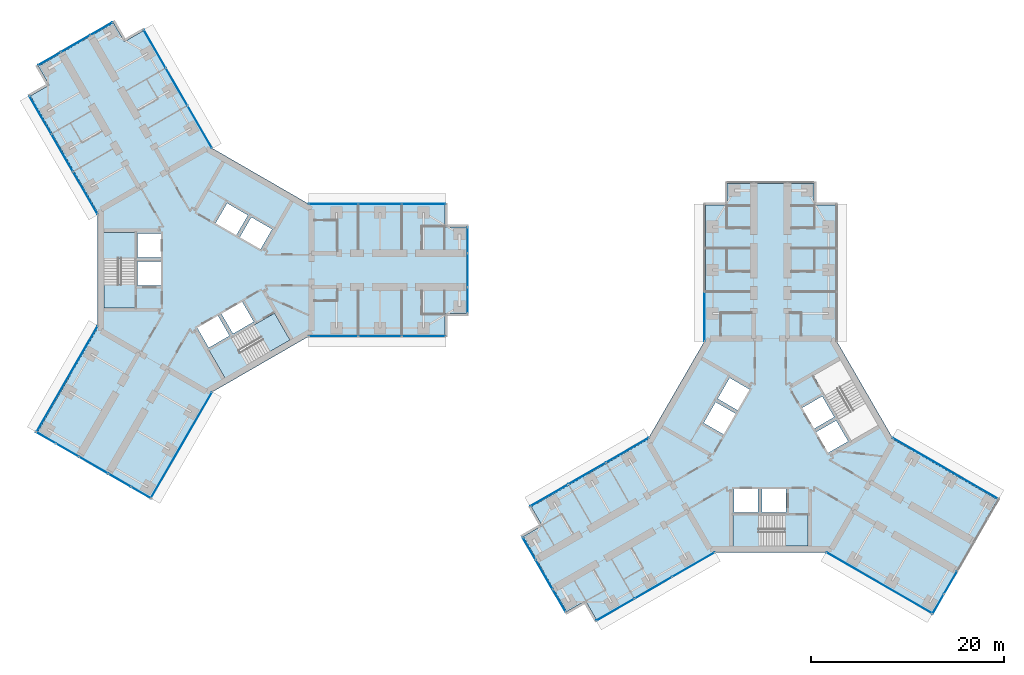
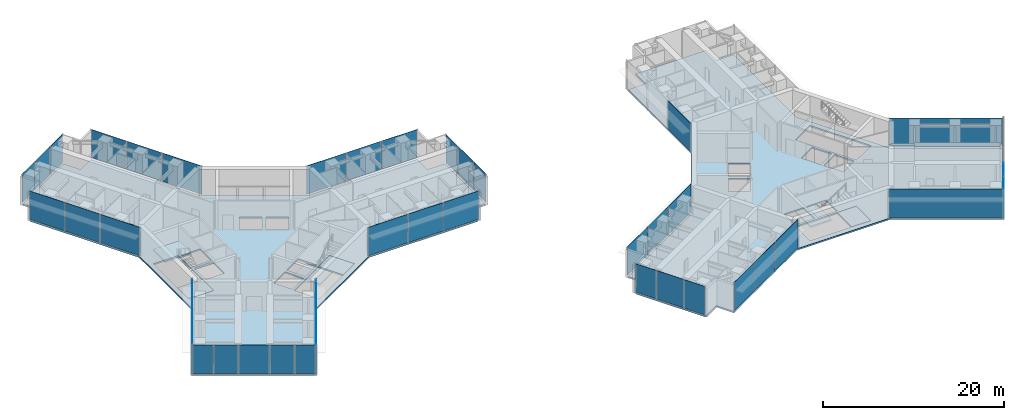
# One storey, part 13 of 23: 39 plates, 8 slabs, 19 elements without a shape of their own.
"""IFC4 building model written with IfcOpenShell, lengths in metres."""

from ifc_helpers import new_model, si_unit, direction, frame, origin, origin_2d, place, context, subcontext, project, spatial, polyline, rectangle, outline, extrude, material, layer, layer_set, type_object, element, aggregate, save


model = new_model("IFC4")

# Units and contexts
model_context = context("Model", 3, precision=1e-05, world=origin(), true_north=direction((0.0, 1.0)))
body_context = subcontext(model_context, "Body", "Model", "MODEL_VIEW")
ifc_project = project(units=[si_unit("LENGTHUNIT", "METRE"), si_unit("AREAUNIT", "SQUARE_METRE"), si_unit("VOLUMEUNIT", "CUBIC_METRE"), si_unit("PLANEANGLEUNIT", "RADIAN"), si_unit("MASSUNIT", "GRAM", prefix="KILO")], contexts=[model_context])

# Site, building, storey
site_placement = place(None, origin())
site = spatial("IfcSite", under=ifc_project, at=site_placement, CompositionType="ELEMENT")
building_placement = place(site_placement, origin())
building = spatial("IfcBuilding", under=site, at=building_placement, Name="Upepo Twin Towers", CompositionType="ELEMENT")
storey_placement = place(building_placement, frame((0.0, 0.0, 149.5)))
storey = spatial("IfcBuildingStorey", under=building, at=storey_placement, Name="L36", CompositionType="ELEMENT", Elevation=149.5)

# Curtain wall, plates
ifc_material_1 = material(Name="Aluminium and fritted glass", Category="aluminium")
curtain_wall_type = type_object("IfcCurtainWallType", Name="Tower curtain wall TW2, fritted glass", PredefinedType="NOTDEFINED", material=ifc_material_1)
curtain_wall_1_placement = place(storey_placement, origin())
curtain_wall_1 = element("IfcCurtainWall", 1, at=curtain_wall_1_placement, inside=storey, type_object=curtain_wall_type, Name="T1 L36 wing A flank L curtain wall", PredefinedType="NOTDEFINED")
ifc_material_2 = material(Name="Ceramic-fritted laminated glass", Category="glass")
ifc_layer_1 = layer(ifc_material_2, 0.031982421875)
ifc_layer_set_1 = layer_set([ifc_layer_1], Name="Fritted glass panel, 45 per cent dot frit, 32 mm double glazed")
plate_type_1 = type_object("IfcPlateType", Name="Fritted glass panel, 45 per cent dot frit, 32 mm double glazed", PredefinedType="CURTAIN_PANEL", material=ifc_layer_set_1)
plate_1_placement = place(storey_placement, frame((13.184814453125, 6.85009765625, 0.14990234375), z_axis=(0.0, 0.0, 1.0), x_axis=(1.0, 0.0, 0.0)))
plate_1 = element("IfcPlate", 2, at=plate_1_placement, type_object=plate_type_1, Name="T1 L36 wing A flank L curtain wall panel 1", PredefinedType="CURTAIN_PANEL", context=body_context, shape_type="SweptSolid", body=[
    extrude(rectangle(XDim=5.0654296875, YDim=0.031982421875, at=origin_2d()), origin(), (0.0, 0.0, 1.0), 3.85009765625),
])
plate_2_placement = place(storey_placement, frame((18.0, 6.85009765625, 0.14990234375), z_axis=(0.0, 0.0, 1.0), x_axis=(1.0, 0.0, 0.0)))
plate_2 = element("IfcPlate", 3, at=plate_2_placement, type_object=plate_type_1, Name="T1 L36 wing A flank L curtain wall panel 2", PredefinedType="CURTAIN_PANEL", context=body_context, shape_type="SweptSolid", body=[
    extrude(rectangle(XDim=4.43505859375, YDim=0.031982421875, at=origin_2d()), origin(), (0.0, 0.0, 1.0), 3.85009765625),
])
plate_3_placement = place(storey_placement, frame((22.53369140625, 6.85009765625, 0.14990234375), z_axis=(0.0, 0.0, 1.0), x_axis=(1.0, 0.0, 0.0)))
plate_3 = element("IfcPlate", 4, at=plate_3_placement, type_object=plate_type_1, Name="T1 L36 wing A flank L curtain wall panel 3", PredefinedType="CURTAIN_PANEL", context=body_context, shape_type="SweptSolid", body=[
    extrude(rectangle(XDim=4.50244140625, YDim=0.031982421875, at=origin_2d()), origin(), (0.0, 0.0, 1.0), 3.85009765625),
])
aggregate(curtain_wall_1, [plate_1, plate_2, plate_3])

curtain_wall_2_placement = place(storey_placement, origin())
curtain_wall_2 = element("IfcCurtainWall", 5, at=curtain_wall_2_placement, inside=storey, type_object=curtain_wall_type, Name="T1 L36 wing A flank R curtain wall", PredefinedType="NOTDEFINED")
plate_4_placement = place(storey_placement, frame((22.53369140625, -6.85009765625, 0.14990234375), z_axis=(0.0, 0.0, 1.0), x_axis=(-1.0, 0.0, 0.0)))
plate_4 = element("IfcPlate", 6, at=plate_4_placement, type_object=plate_type_1, Name="T1 L36 wing A flank R curtain wall panel 1", PredefinedType="CURTAIN_PANEL", context=body_context, shape_type="SweptSolid", body=[
    extrude(rectangle(XDim=4.50244140625, YDim=0.031982421875, at=origin_2d()), origin(), (0.0, 0.0, 1.0), 3.85009765625),
])
plate_5_placement = place(storey_placement, frame((18.0, -6.85009765625, 0.14990234375), z_axis=(0.0, 0.0, 1.0), x_axis=(-1.0, 0.0, 0.0)))
plate_5 = element("IfcPlate", 7, at=plate_5_placement, type_object=plate_type_1, Name="T1 L36 wing A flank R curtain wall panel 2", PredefinedType="CURTAIN_PANEL", context=body_context, shape_type="SweptSolid", body=[
    extrude(rectangle(XDim=4.43505859375, YDim=0.031982421875, at=origin_2d()), origin(), (0.0, 0.0, 1.0), 3.85009765625),
])
plate_6_placement = place(storey_placement, frame((13.184814453125, -6.85009765625, 0.14990234375), z_axis=(0.0, 0.0, 1.0), x_axis=(-1.0, 0.0, 0.0)))
plate_6 = element("IfcPlate", 8, at=plate_6_placement, type_object=plate_type_1, Name="T1 L36 wing A flank R curtain wall panel 3", PredefinedType="CURTAIN_PANEL", context=body_context, shape_type="SweptSolid", body=[
    extrude(rectangle(XDim=5.0654296875, YDim=0.031982421875, at=origin_2d()), origin(), (0.0, 0.0, 1.0), 3.85009765625),
])
aggregate(curtain_wall_2, [plate_4, plate_5, plate_6])

# Curtain wall, plate
curtain_wall_3_placement = place(storey_placement, origin())
curtain_wall_3 = element("IfcCurtainWall", 9, at=curtain_wall_3_placement, inside=storey, type_object=curtain_wall_type, Name="T1 L36 wing A nose curtain wall", PredefinedType="NOTDEFINED")
plate_7_placement = place(storey_placement, frame((27.10009765625, 0.0, 0.14990234375), z_axis=(0.0, 0.0, 1.0), x_axis=(0.0, 1.0, 0.0)))
plate_7 = element("IfcPlate", 10, at=plate_7_placement, type_object=plate_type_1, Name="T1 L36 wing A nose curtain wall panel 2", PredefinedType="CURTAIN_PANEL", context=body_context, shape_type="SweptSolid", body=[
    extrude(rectangle(XDim=3.43505859375, YDim=0.031982421875, at=origin_2d()), origin(), (0.0, 0.0, 1.0), 3.85009765625),
])

# Curtain wall, plates
curtain_wall_4_placement = place(storey_placement, origin())
curtain_wall_4 = element("IfcCurtainWall", 11, at=curtain_wall_4_placement, inside=storey, type_object=curtain_wall_type, Name="T1 L36 wing B flank L curtain wall", PredefinedType="NOTDEFINED")
plate_8_placement = place(storey_placement, frame((-12.524658203125, 7.993408203125, 0.14990234375), z_axis=(0.0, 0.0, 1.0), x_axis=(-0.500000010308, 0.866025397833, 0.0)))
plate_8 = element("IfcPlate", 12, at=plate_8_placement, type_object=plate_type_1, Name="T1 L36 wing B flank L curtain wall panel 1", PredefinedType="CURTAIN_PANEL", context=body_context, shape_type="SweptSolid", body=[
    extrude(rectangle(XDim=5.0654296875, YDim=0.031982421875, at=origin_2d()), origin(), (0.0, 0.0, 1.0), 3.85009765625),
])
plate_9_placement = place(storey_placement, frame((-14.932373046875, 12.16357421875, 0.14990234375), z_axis=(0.0, 0.0, 1.0), x_axis=(-0.500000010308, 0.866025397833, 0.0)))
plate_9 = element("IfcPlate", 13, at=plate_9_placement, type_object=plate_type_1, Name="T1 L36 wing B flank L curtain wall panel 2", PredefinedType="CURTAIN_PANEL", context=body_context, shape_type="SweptSolid", body=[
    extrude(rectangle(XDim=4.43505859375, YDim=0.031982421875, at=origin_2d()), origin(), (0.0, 0.0, 1.0), 3.85009765625),
])
plate_10_placement = place(storey_placement, frame((-17.19921875, 16.08984375, 0.14990234375), z_axis=(0.0, 0.0, 1.0), x_axis=(-0.500000010308, 0.866025397833, 0.0)))
plate_10 = element("IfcPlate", 14, at=plate_10_placement, type_object=plate_type_1, Name="T1 L36 wing B flank L curtain wall panel 3", PredefinedType="CURTAIN_PANEL", context=body_context, shape_type="SweptSolid", body=[
    extrude(rectangle(XDim=4.50244140625, YDim=0.031982421875, at=origin_2d()), origin(), (0.0, 0.0, 1.0), 3.85009765625),
])
aggregate(curtain_wall_4, [plate_8, plate_9, plate_10])

curtain_wall_5_placement = place(storey_placement, origin())
curtain_wall_5 = element("IfcCurtainWall", 15, at=curtain_wall_5_placement, inside=storey, type_object=curtain_wall_type, Name="T1 L36 wing B flank R curtain wall", PredefinedType="NOTDEFINED")
plate_11_placement = place(storey_placement, frame((-5.334716796875, 22.939697265625, 0.14990234375), z_axis=(0.0, 0.0, 1.0), x_axis=(0.500000010308, -0.866025397833, 0.0)))
plate_11 = element("IfcPlate", 16, at=plate_11_placement, type_object=plate_type_1, Name="T1 L36 wing B flank R curtain wall panel 1", PredefinedType="CURTAIN_PANEL", context=body_context, shape_type="SweptSolid", body=[
    extrude(rectangle(XDim=4.50244140625, YDim=0.031982421875, at=origin_2d()), origin(), (0.0, 0.0, 1.0), 3.85009765625),
])
plate_12_placement = place(storey_placement, frame((-3.067626953125, 19.013427734375, 0.14990234375), z_axis=(0.0, 0.0, 1.0), x_axis=(0.500000010308, -0.866025397833, 0.0)))
plate_12 = element("IfcPlate", 17, at=plate_12_placement, type_object=plate_type_1, Name="T1 L36 wing B flank R curtain wall panel 2", PredefinedType="CURTAIN_PANEL", context=body_context, shape_type="SweptSolid", body=[
    extrude(rectangle(XDim=4.43505859375, YDim=0.031982421875, at=origin_2d()), origin(), (0.0, 0.0, 1.0), 3.85009765625),
])
plate_13_placement = place(storey_placement, frame((-0.66015625, 14.84326171875, 0.14990234375), z_axis=(0.0, 0.0, 1.0), x_axis=(0.500000010308, -0.866025397833, 0.0)))
plate_13 = element("IfcPlate", 18, at=plate_13_placement, type_object=plate_type_1, Name="T1 L36 wing B flank R curtain wall panel 3", PredefinedType="CURTAIN_PANEL", context=body_context, shape_type="SweptSolid", body=[
    extrude(rectangle(XDim=5.0654296875, YDim=0.031982421875, at=origin_2d()), origin(), (0.0, 0.0, 1.0), 3.85009765625),
])
aggregate(curtain_wall_5, [plate_11, plate_12, plate_13])

# Curtain wall, plate
curtain_wall_6_placement = place(storey_placement, origin())
curtain_wall_6 = element("IfcCurtainWall", 19, at=curtain_wall_6_placement, inside=storey, type_object=curtain_wall_type, Name="T1 L36 wing B nose curtain wall", PredefinedType="NOTDEFINED")
plate_14_placement = place(storey_placement, frame((-13.550048828125, 23.46923828125, 0.14990234375), z_axis=(0.0, 0.0, 1.0), x_axis=(-0.866025386174, -0.500000030502, 0.0)))
plate_14 = element("IfcPlate", 20, at=plate_14_placement, type_object=plate_type_1, Name="T1 L36 wing B nose curtain wall panel 2", PredefinedType="CURTAIN_PANEL", context=body_context, shape_type="SweptSolid", body=[
    extrude(rectangle(XDim=3.43505859375, YDim=0.031982421875, at=origin_2d()), origin(), (0.0, 0.0, 1.0), 3.85009765625),
])

curtain_wall_7_placement = place(storey_placement, origin())
curtain_wall_7 = element("IfcCurtainWall", 21, at=curtain_wall_7_placement, inside=storey, type_object=curtain_wall_type, Name="T1 L36 wing C flank L curtain wall", PredefinedType="NOTDEFINED")
plate_15_placement = place(storey_placement, frame((-2.552001953125, -18.1201171875, 0.14990234375), z_axis=(0.0, 0.0, 1.0), x_axis=(-0.50000000792, -0.866025399212, 0.0)))
plate_15 = element("IfcPlate", 22, at=plate_15_placement, type_object=plate_type_1, Name="T1 L36 wing C flank L curtain wall panel 1", PredefinedType="CURTAIN_PANEL", context=body_context, shape_type="SweptSolid", body=[
    extrude(rectangle(XDim=12.6328125, YDim=0.031982421875, at=origin_2d()), origin(), (0.0, 0.0, 1.0), 3.85009765625),
])
aggregate(curtain_wall_7, [plate_15])

curtain_wall_8_placement = place(storey_placement, origin())
curtain_wall_8 = element("IfcCurtainWall", 23, at=curtain_wall_8_placement, inside=storey, type_object=curtain_wall_type, Name="T1 L36 wing C flank R curtain wall", PredefinedType="NOTDEFINED")
plate_16_placement = place(storey_placement, frame((-14.41650390625, -11.270263671875, 0.14990234375), z_axis=(0.0, 0.0, 1.0), x_axis=(0.50000000792, 0.866025399212, 0.0)))
plate_16 = element("IfcPlate", 24, at=plate_16_placement, type_object=plate_type_1, Name="T1 L36 wing C flank R curtain wall panel 1", PredefinedType="CURTAIN_PANEL", context=body_context, shape_type="SweptSolid", body=[
    extrude(rectangle(XDim=12.6328125, YDim=0.031982421875, at=origin_2d()), origin(), (0.0, 0.0, 1.0), 3.85009765625),
])
aggregate(curtain_wall_8, [plate_16])

# Curtain wall, plates
curtain_wall_9_placement = place(storey_placement, origin())
curtain_wall_9 = element("IfcCurtainWall", 25, at=curtain_wall_9_placement, inside=storey, type_object=curtain_wall_type, Name="T1 L36 wing C nose curtain wall", PredefinedType="NOTDEFINED")
plate_17_placement = place(storey_placement, frame((-14.38134765625, -18.6591796875, 0.14990234375), z_axis=(0.0, 0.0, 1.0), x_axis=(0.866025419745, -0.499999972355, 0.0)))
plate_17 = element("IfcPlate", 26, at=plate_17_placement, type_object=plate_type_1, Name="T1 L36 wing C nose curtain wall panel 2", PredefinedType="CURTAIN_PANEL", context=body_context, shape_type="SweptSolid", body=[
    extrude(rectangle(XDim=2.68505859375, YDim=0.031982421875, at=origin_2d()), origin(), (0.0, 0.0, 1.0), 3.85009765625),
])
plate_18_placement = place(storey_placement, frame((-11.675048828125, -20.2216796875, 0.14990234375), z_axis=(0.0, 0.0, 1.0), x_axis=(0.866025419745, -0.499999972355, 0.0)))
plate_18 = element("IfcPlate", 27, at=plate_18_placement, type_object=plate_type_1, Name="T1 L36 wing C nose curtain wall panel 3", PredefinedType="CURTAIN_PANEL", context=body_context, shape_type="SweptSolid", body=[
    extrude(rectangle(XDim=3.43505859375, YDim=0.031982421875, at=origin_2d()), origin(), (0.0, 0.0, 1.0), 3.85009765625),
])
plate_19_placement = place(storey_placement, frame((-8.96875, -21.7841796875, 0.14990234375), z_axis=(0.0, 0.0, 1.0), x_axis=(0.866025419745, -0.499999972355, 0.0)))
plate_19 = element("IfcPlate", 28, at=plate_19_placement, type_object=plate_type_1, Name="T1 L36 wing C nose curtain wall panel 4", PredefinedType="CURTAIN_PANEL", context=body_context, shape_type="SweptSolid", body=[
    extrude(rectangle(XDim=2.68505859375, YDim=0.031982421875, at=origin_2d()), origin(), (0.0, 0.0, 1.0), 3.85009765625),
])

# Curtain wall, plate
curtain_wall_10_placement = place(storey_placement, origin())
curtain_wall_10 = element("IfcCurtainWall", 29, at=curtain_wall_10_placement, inside=storey, type_object=curtain_wall_type, Name="T2 L36 wing A flank L curtain wall", PredefinedType="NOTDEFINED")
plate_20_placement = place(storey_placement, frame((51.64990234375, -4.815185546875, 0.14990234375), z_axis=(0.0, 0.0, 1.0), x_axis=(0.0, 1.0, 0.0)))
plate_20 = element("IfcPlate", 30, at=plate_20_placement, type_object=plate_type_1, Name="T2 L36 wing A flank L curtain wall panel 1", PredefinedType="CURTAIN_PANEL", context=body_context, shape_type="SweptSolid", body=[
    extrude(rectangle(XDim=5.0654296875, YDim=0.031982421875, at=origin_2d()), origin(), (0.0, 0.0, 1.0), 3.85009765625),
])
aggregate(curtain_wall_10, [plate_20])

# Curtain wall, plates
curtain_wall_11_placement = place(storey_placement, origin())
curtain_wall_11 = element("IfcCurtainWall", 31, at=curtain_wall_11_placement, inside=storey, type_object=curtain_wall_type, Name="T2 L36 wing B flank L curtain wall", PredefinedType="NOTDEFINED")
plate_21_placement = place(storey_placement, frame((50.506591796875, -30.524658203125, 0.14990234375), z_axis=(0.0, 0.0, 1.0), x_axis=(-0.866025397833, -0.500000010308, 0.0)))
plate_21 = element("IfcPlate", 32, at=plate_21_placement, type_object=plate_type_1, Name="T2 L36 wing B flank L curtain wall panel 1", PredefinedType="CURTAIN_PANEL", context=body_context, shape_type="SweptSolid", body=[
    extrude(rectangle(XDim=5.0654296875, YDim=0.031982421875, at=origin_2d()), origin(), (0.0, 0.0, 1.0), 3.85009765625),
])
plate_22_placement = place(storey_placement, frame((46.33642578125, -32.932373046875, 0.14990234375), z_axis=(0.0, 0.0, 1.0), x_axis=(-0.866025397833, -0.500000010308, 0.0)))
plate_22 = element("IfcPlate", 33, at=plate_22_placement, type_object=plate_type_1, Name="T2 L36 wing B flank L curtain wall panel 2", PredefinedType="CURTAIN_PANEL", context=body_context, shape_type="SweptSolid", body=[
    extrude(rectangle(XDim=4.43505859375, YDim=0.031982421875, at=origin_2d()), origin(), (0.0, 0.0, 1.0), 3.85009765625),
])
plate_23_placement = place(storey_placement, frame((42.41015625, -35.19921875, 0.14990234375), z_axis=(0.0, 0.0, 1.0), x_axis=(-0.866025397833, -0.500000010308, 0.0)))
plate_23 = element("IfcPlate", 34, at=plate_23_placement, type_object=plate_type_1, Name="T2 L36 wing B flank L curtain wall panel 3", PredefinedType="CURTAIN_PANEL", context=body_context, shape_type="SweptSolid", body=[
    extrude(rectangle(XDim=4.50244140625, YDim=0.031982421875, at=origin_2d()), origin(), (0.0, 0.0, 1.0), 3.85009765625),
])
aggregate(curtain_wall_11, [plate_21, plate_22, plate_23])

curtain_wall_12_placement = place(storey_placement, origin())
curtain_wall_12 = element("IfcCurtainWall", 35, at=curtain_wall_12_placement, inside=storey, type_object=curtain_wall_type, Name="T2 L36 wing B flank R curtain wall", PredefinedType="NOTDEFINED")
plate_24_placement = place(storey_placement, frame((35.560302734375, -23.334716796875, 0.14990234375), z_axis=(0.0, 0.0, 1.0), x_axis=(0.866025397833, 0.500000010308, 0.0)))
plate_24 = element("IfcPlate", 36, at=plate_24_placement, type_object=plate_type_1, Name="T2 L36 wing B flank R curtain wall panel 1", PredefinedType="CURTAIN_PANEL", context=body_context, shape_type="SweptSolid", body=[
    extrude(rectangle(XDim=4.50244140625, YDim=0.031982421875, at=origin_2d()), origin(), (0.0, 0.0, 1.0), 3.85009765625),
])
plate_25_placement = place(storey_placement, frame((39.486572265625, -21.067626953125, 0.14990234375), z_axis=(0.0, 0.0, 1.0), x_axis=(0.866025397833, 0.500000010308, 0.0)))
plate_25 = element("IfcPlate", 37, at=plate_25_placement, type_object=plate_type_1, Name="T2 L36 wing B flank R curtain wall panel 2", PredefinedType="CURTAIN_PANEL", context=body_context, shape_type="SweptSolid", body=[
    extrude(rectangle(XDim=4.43505859375, YDim=0.031982421875, at=origin_2d()), origin(), (0.0, 0.0, 1.0), 3.85009765625),
])
plate_26_placement = place(storey_placement, frame((43.65673828125, -18.66015625, 0.14990234375), z_axis=(0.0, 0.0, 1.0), x_axis=(0.866025397833, 0.500000010308, 0.0)))
plate_26 = element("IfcPlate", 38, at=plate_26_placement, type_object=plate_type_1, Name="T2 L36 wing B flank R curtain wall panel 3", PredefinedType="CURTAIN_PANEL", context=body_context, shape_type="SweptSolid", body=[
    extrude(rectangle(XDim=5.0654296875, YDim=0.031982421875, at=origin_2d()), origin(), (0.0, 0.0, 1.0), 3.85009765625),
])
aggregate(curtain_wall_12, [plate_24, plate_25, plate_26])

# Curtain wall, plate
curtain_wall_13_placement = place(storey_placement, origin())
curtain_wall_13 = element("IfcCurtainWall", 39, at=curtain_wall_13_placement, inside=storey, type_object=curtain_wall_type, Name="T2 L36 wing B nose curtain wall", PredefinedType="NOTDEFINED")
plate_27_placement = place(storey_placement, frame((35.03076171875, -31.550048828125, 0.14990234375), z_axis=(0.0, 0.0, 1.0), x_axis=(0.500000030502, -0.866025386174, 0.0)))
plate_27 = element("IfcPlate", 40, at=plate_27_placement, type_object=plate_type_1, Name="T2 L36 wing B nose curtain wall panel 2", PredefinedType="CURTAIN_PANEL", context=body_context, shape_type="SweptSolid", body=[
    extrude(rectangle(XDim=3.43505859375, YDim=0.031982421875, at=origin_2d()), origin(), (0.0, 0.0, 1.0), 3.85009765625),
])

curtain_wall_14_placement = place(storey_placement, origin())
curtain_wall_14 = element("IfcCurtainWall", 41, at=curtain_wall_14_placement, inside=storey, type_object=curtain_wall_type, Name="T2 L36 wing C flank L curtain wall", PredefinedType="NOTDEFINED")
plate_28_placement = place(storey_placement, frame((76.6201171875, -20.552001953125, 0.14990234375), z_axis=(0.0, 0.0, 1.0), x_axis=(0.866025399212, -0.50000000792, 0.0)))
plate_28 = element("IfcPlate", 42, at=plate_28_placement, type_object=plate_type_1, Name="T2 L36 wing C flank L curtain wall panel 1", PredefinedType="CURTAIN_PANEL", context=body_context, shape_type="SweptSolid", body=[
    extrude(rectangle(XDim=12.6328125, YDim=0.031982421875, at=origin_2d()), origin(), (0.0, 0.0, 1.0), 3.85009765625),
])
aggregate(curtain_wall_14, [plate_28])

curtain_wall_15_placement = place(storey_placement, origin())
curtain_wall_15 = element("IfcCurtainWall", 43, at=curtain_wall_15_placement, inside=storey, type_object=curtain_wall_type, Name="T2 L36 wing C flank R curtain wall", PredefinedType="NOTDEFINED")
plate_29_placement = place(storey_placement, frame((69.770263671875, -32.41650390625, 0.14990234375), z_axis=(0.0, 0.0, 1.0), x_axis=(-0.866025399212, 0.50000000792, 0.0)))
plate_29 = element("IfcPlate", 44, at=plate_29_placement, type_object=plate_type_1, Name="T2 L36 wing C flank R curtain wall panel 1", PredefinedType="CURTAIN_PANEL", context=body_context, shape_type="SweptSolid", body=[
    extrude(rectangle(XDim=12.6328125, YDim=0.031982421875, at=origin_2d()), origin(), (0.0, 0.0, 1.0), 3.85009765625),
])
aggregate(curtain_wall_15, [plate_29])

curtain_wall_16_placement = place(storey_placement, origin())
curtain_wall_16 = element("IfcCurtainWall", 45, at=curtain_wall_16_placement, inside=storey, type_object=curtain_wall_type, Name="T2 L36 wing C nose curtain wall", PredefinedType="NOTDEFINED")
plate_30_placement = place(storey_placement, frame((77.1591796875, -32.38134765625, 0.14990234375), z_axis=(0.0, 0.0, 1.0), x_axis=(0.499999972355, 0.866025419745, 0.0)))
plate_30 = element("IfcPlate", 46, at=plate_30_placement, type_object=plate_type_1, Name="T2 L36 wing C nose curtain wall panel 2", PredefinedType="CURTAIN_PANEL", context=body_context, shape_type="SweptSolid", body=[
    extrude(rectangle(XDim=2.68505859375, YDim=0.031982421875, at=origin_2d()), origin(), (0.0, 0.0, 1.0), 3.85009765625),
])

# Plate
ifc_material_3 = material(Name="Clear laminated glass in opening sash", Category="glass")
ifc_layer_2 = layer(ifc_material_3, 0.031982421875)
ifc_layer_set_2 = layer_set([ifc_layer_2], Name="Operable glass panel, 32 mm double glazed")
plate_type_2 = type_object("IfcPlateType", Name="Operable glass panel, 32 mm double glazed", PredefinedType="CURTAIN_PANEL", material=ifc_layer_set_2)
plate_31_placement = place(storey_placement, frame((27.10009765625, -3.108642578125, 0.14990234375), z_axis=(0.0, 0.0, 1.0), x_axis=(0.0, 1.0, 0.0)))
plate_31 = element("IfcPlate", 47, at=plate_31_placement, type_object=plate_type_2, Name="T1 L36 wing A nose curtain wall panel 1", PredefinedType="CURTAIN_PANEL", context=body_context, shape_type="SweptSolid", body=[
    extrude(rectangle(XDim=2.652587890625, YDim=0.031982421875, at=origin_2d()), origin(), (0.0, 0.0, 1.0), 3.85009765625),
])

plate_32_placement = place(storey_placement, frame((27.10009765625, 3.108642578125, 0.14990234375), z_axis=(0.0, 0.0, 1.0), x_axis=(0.0, 1.0, 0.0)))
plate_32 = element("IfcPlate", 48, at=plate_32_placement, type_object=plate_type_2, Name="T1 L36 wing A nose curtain wall panel 3", PredefinedType="CURTAIN_PANEL", context=body_context, shape_type="SweptSolid", body=[
    extrude(rectangle(XDim=2.652587890625, YDim=0.031982421875, at=origin_2d()), origin(), (0.0, 0.0, 1.0), 3.85009765625),
])

aggregate(curtain_wall_3, [plate_31, plate_7, plate_32])

plate_33_placement = place(storey_placement, frame((-10.857666015625, 25.023681640625, 0.14990234375), z_axis=(0.0, 0.0, 1.0), x_axis=(-0.866025386174, -0.500000030502, 0.0)))
plate_33 = element("IfcPlate", 49, at=plate_33_placement, type_object=plate_type_2, Name="T1 L36 wing B nose curtain wall panel 1", PredefinedType="CURTAIN_PANEL", context=body_context, shape_type="SweptSolid", body=[
    extrude(rectangle(XDim=2.652587890625, YDim=0.031982421875, at=origin_2d()), origin(), (0.0, 0.0, 1.0), 3.85009765625),
])

plate_34_placement = place(storey_placement, frame((-16.2421875, 21.914794921875, 0.14990234375), z_axis=(0.0, 0.0, 1.0), x_axis=(-0.866025386174, -0.500000030502, 0.0)))
plate_34 = element("IfcPlate", 50, at=plate_34_placement, type_object=plate_type_2, Name="T1 L36 wing B nose curtain wall panel 3", PredefinedType="CURTAIN_PANEL", context=body_context, shape_type="SweptSolid", body=[
    extrude(rectangle(XDim=2.652587890625, YDim=0.031982421875, at=origin_2d()), origin(), (0.0, 0.0, 1.0), 3.85009765625),
])

aggregate(curtain_wall_6, [plate_33, plate_14, plate_34])

plate_35_placement = place(storey_placement, frame((-16.618896484375, -17.367431640625, 0.14990234375), z_axis=(0.0, 0.0, 1.0), x_axis=(0.866025419745, -0.499999972355, 0.0)))
plate_35 = element("IfcPlate", 51, at=plate_35_placement, type_object=plate_type_2, Name="T1 L36 wing C nose curtain wall panel 1", PredefinedType="CURTAIN_PANEL", context=body_context, shape_type="SweptSolid", body=[
    extrude(rectangle(XDim=2.3525390625, YDim=0.031982421875, at=origin_2d()), origin(), (0.0, 0.0, 1.0), 3.85009765625),
])

plate_36_placement = place(storey_placement, frame((-6.73095703125, -23.076171875, 0.14990234375), z_axis=(0.0, 0.0, 1.0), x_axis=(0.866025419745, -0.499999972355, 0.0)))
plate_36 = element("IfcPlate", 52, at=plate_36_placement, type_object=plate_type_2, Name="T1 L36 wing C nose curtain wall panel 5", PredefinedType="CURTAIN_PANEL", context=body_context, shape_type="SweptSolid", body=[
    extrude(rectangle(XDim=2.3525390625, YDim=0.031982421875, at=origin_2d()), origin(), (0.0, 0.0, 1.0), 3.85009765625),
])

aggregate(curtain_wall_9, [plate_35, plate_17, plate_18, plate_19, plate_36])

plate_37_placement = place(storey_placement, frame((33.476318359375, -28.857666015625, 0.14990234375), z_axis=(0.0, 0.0, 1.0), x_axis=(0.500000030502, -0.866025386174, 0.0)))
plate_37 = element("IfcPlate", 53, at=plate_37_placement, type_object=plate_type_2, Name="T2 L36 wing B nose curtain wall panel 1", PredefinedType="CURTAIN_PANEL", context=body_context, shape_type="SweptSolid", body=[
    extrude(rectangle(XDim=2.652587890625, YDim=0.031982421875, at=origin_2d()), origin(), (0.0, 0.0, 1.0), 3.85009765625),
])

plate_38_placement = place(storey_placement, frame((36.585205078125, -34.2421875, 0.14990234375), z_axis=(0.0, 0.0, 1.0), x_axis=(0.500000030502, -0.866025386174, 0.0)))
plate_38 = element("IfcPlate", 54, at=plate_38_placement, type_object=plate_type_2, Name="T2 L36 wing B nose curtain wall panel 3", PredefinedType="CURTAIN_PANEL", context=body_context, shape_type="SweptSolid", body=[
    extrude(rectangle(XDim=2.652587890625, YDim=0.031982421875, at=origin_2d()), origin(), (0.0, 0.0, 1.0), 3.85009765625),
])

aggregate(curtain_wall_13, [plate_37, plate_27, plate_38])

plate_39_placement = place(storey_placement, frame((75.867431640625, -34.618896484375, 0.14990234375), z_axis=(0.0, 0.0, 1.0), x_axis=(0.499999972355, 0.866025419745, 0.0)))
plate_39 = element("IfcPlate", 55, at=plate_39_placement, type_object=plate_type_2, Name="T2 L36 wing C nose curtain wall panel 1", PredefinedType="CURTAIN_PANEL", context=body_context, shape_type="SweptSolid", body=[
    extrude(rectangle(XDim=2.3525390625, YDim=0.031982421875, at=origin_2d()), origin(), (0.0, 0.0, 1.0), 3.85009765625),
])

aggregate(curtain_wall_16, [plate_39, plate_30])

# Stair, slabs
ifc_material_4 = material(Name="Concrete C40/50", Category="concrete")
stair_type = type_object("IfcStairType", Name="Core stair, two flights", PredefinedType="HALF_TURN_STAIR", material=ifc_material_4)
stair_1_placement = place(storey_placement, origin())
stair_1 = element("IfcStair", 56, at=stair_1_placement, inside=storey, type_object=stair_type, Name="T1 stair S1 L36", PredefinedType="HALF_TURN_STAIR")
ifc_material_5 = material(Name="Concrete C40/50", Category="concrete")
ifc_layer_3 = layer(ifc_material_5, 0.199951171875)
ifc_layer_set_3 = layer_set([ifc_layer_3], Name="Concrete C40/50")
slab_type_1 = type_object("IfcSlabType", Name="Stair landing 200 RC", PredefinedType="LANDING", material=ifc_layer_set_3)
slab_1_placement = place(storey_placement, frame((0.0, 0.0, -0.199951171875)))
slab_1 = element("IfcSlab", 57, at=slab_1_placement, type_object=slab_type_1, Name="Stair S1 landing 1", PredefinedType="LANDING", context=body_context, shape_type="SweptSolid", body=[
    extrude(outline(polyline([(-7.39990234375, -1.419921875), (-10.6083984375, -1.419921875), (-10.6083984375, -3.89990234375), (-7.39990234375, -3.89990234375), (-7.39990234375, -1.419921875)])), origin(), (0.0, 0.0, 1.0), 0.199951171875),
])
slab_2_placement = place(storey_placement, frame((0.0, 0.0, 1.800048828125)))
slab_2 = element("IfcSlab", 58, at=slab_2_placement, type_object=slab_type_1, Name="Stair S1 landing 2", PredefinedType="LANDING", context=body_context, shape_type="SweptSolid", body=[
    extrude(outline(polyline([(-7.300048828125, 3.89990234375), (-10.708251953125, 3.89990234375), (-10.708251953125, 1.179931640625), (-7.300048828125, 1.179931640625), (-7.300048828125, 3.89990234375)])), origin(), (0.0, 0.0, 1.0), 0.199951171875),
])
aggregate(stair_1, [slab_1, slab_2])

stair_2_placement = place(storey_placement, origin())
stair_2 = element("IfcStair", 59, at=stair_2_placement, inside=storey, type_object=stair_type, Name="T1 stair S2 L36", PredefinedType="HALF_TURN_STAIR")
slab_3_placement = place(storey_placement, frame((0.0, 0.0, -0.199951171875)))
slab_3 = element("IfcSlab", 60, at=slab_3_placement, type_object=slab_type_1, Name="Stair S2 landing 1", PredefinedType="LANDING", context=body_context, shape_type="SweptSolid", body=[
    extrude(outline(polyline([(4.9296875, -5.698486328125), (6.533935546875, -8.47705078125), (8.681640625, -7.237060546875), (7.077392578125, -4.45849609375), (4.9296875, -5.698486328125)])), origin(), (0.0, 0.0, 1.0), 0.199951171875),
])
slab_4_placement = place(storey_placement, frame((0.0, 0.0, 1.800048828125)))
slab_4 = element("IfcSlab", 61, at=slab_4_placement, type_object=slab_type_1, Name="Stair S2 landing 2", PredefinedType="LANDING", context=body_context, shape_type="SweptSolid", body=[
    extrude(outline(polyline([(0.2724609375, -8.27197265625), (1.9765625, -11.2236328125), (4.332275390625, -9.86376953125), (2.628173828125, -6.911865234375), (0.2724609375, -8.27197265625)])), origin(), (0.0, 0.0, 1.0), 0.199951171875),
])
aggregate(stair_2, [slab_3, slab_4])

stair_3_placement = place(storey_placement, origin())
stair_3 = element("IfcStair", 62, at=stair_3_placement, inside=storey, type_object=stair_type, Name="T2 stair S1 L36", PredefinedType="HALF_TURN_STAIR")
slab_5_placement = place(storey_placement, frame((0.0, 0.0, -0.199951171875)))
slab_5 = element("IfcSlab", 63, at=slab_5_placement, type_object=slab_type_1, Name="Stair S1 landing 1", PredefinedType="LANDING", context=body_context, shape_type="SweptSolid", body=[
    extrude(outline(polyline([(59.919921875, -25.39990234375), (59.919921875, -28.6083984375), (62.39990234375, -28.6083984375), (62.39990234375, -25.39990234375), (59.919921875, -25.39990234375)])), origin(), (0.0, 0.0, 1.0), 0.199951171875),
])
slab_6_placement = place(storey_placement, frame((0.0, 0.0, 1.800048828125)))
slab_6 = element("IfcSlab", 64, at=slab_6_placement, type_object=slab_type_1, Name="Stair S1 landing 2", PredefinedType="LANDING", context=body_context, shape_type="SweptSolid", body=[
    extrude(outline(polyline([(54.60009765625, -25.300048828125), (54.60009765625, -28.708251953125), (57.320068359375, -28.708251953125), (57.320068359375, -25.300048828125), (54.60009765625, -25.300048828125)])), origin(), (0.0, 0.0, 1.0), 0.199951171875),
])
aggregate(stair_3, [slab_5, slab_6])

# Slabs
ifc_material_6 = material(Name="Concrete C40/50", Category="concrete")
ifc_layer_4 = layer(ifc_material_6, 0.199951171875)
ifc_layer_set_4 = layer_set([ifc_layer_4], Name="Concrete C40/50")
slab_type_2 = type_object("IfcSlabType", Name="Tower floor slab 200 RC", PredefinedType="FLOOR", material=ifc_layer_set_4)
slab_7_placement = place(storey_placement, frame((0.0, 0.0, -0.199951171875)))
element("IfcSlab", 65, at=slab_7_placement, inside=storey, type_object=slab_type_2, Name="T1 L36 floor slab", PredefinedType="FLOOR", context=body_context, shape_type="SweptSolid", body=[
    extrude(outline(polyline([(-17.470703125, -16.760009765625), (-11.25830078125, -6.0), (-11.25830078125, 6.0), (-18.220703125, 18.05908203125), (-16.272216796875, 19.18408203125), (-17.397216796875, 21.132568359375), (-9.602783203125, 25.632568359375), (-8.477783203125, 23.68408203125), (-6.529296875, 24.80908203125), (0.43310546875, 12.75), (10.825439453125, 6.75), (24.75, 6.75), (24.75, 4.5), (27.0, 4.5), (27.0, -4.5), (24.75, -4.5), (24.75, -6.75), (10.825439453125, -6.75), (0.43310546875, -12.75), (-5.779296875, -23.510009765625), (-17.470703125, -16.760009765625)]), holes=[polyline([(5.640869140625, 2.17041015625), (6.8408203125, 4.248779296875), (4.67578125, 5.498779296875), (3.475830078125, 3.42041015625), (5.640869140625, 2.17041015625)]), polyline([(3.12939453125, 3.620361328125), (4.329345703125, 5.69873046875), (2.164306640625, 6.94873046875), (0.96435546875, 4.870361328125), (3.12939453125, 3.620361328125)]), polyline([(-4.699951171875, 3.800048828125), (-7.10009765625, 3.800048828125), (-7.10009765625, 1.300048828125), (-4.699951171875, 1.300048828125), (-4.699951171875, 3.800048828125)]), polyline([(-4.699951171875, 0.89990234375), (-7.10009765625, 0.89990234375), (-7.10009765625, -1.60009765625), (-4.699951171875, -1.60009765625), (-4.699951171875, 0.89990234375)]), polyline([(-7.39990234375, 3.89990234375), (-10.6083984375, 3.89990234375), (-10.6083984375, -3.89990234375), (-7.39990234375, -3.89990234375), (-7.39990234375, 3.89990234375)]), polyline([(-0.94091796875, -5.97021484375), (0.259033203125, -8.048828125), (2.424072265625, -6.798828125), (1.22412109375, -4.72021484375), (-0.94091796875, -5.97021484375)]), polyline([(1.570556640625, -4.520263671875), (2.7705078125, -6.598876953125), (4.935546875, -5.348876953125), (3.735595703125, -3.270263671875), (1.570556640625, -4.520263671875)]), polyline([(0.322509765625, -8.358642578125), (1.9267578125, -11.136962890625), (8.681640625, -7.237060546875), (7.077392578125, -4.45849609375), (0.322509765625, -8.358642578125)])]), origin(), (0.0, 0.0, 1.0), 0.199951171875),
])
slab_8_placement = place(storey_placement, frame((0.0, 0.0, -0.199951171875)))
element("IfcSlab", 66, at=slab_8_placement, inside=storey, type_object=slab_type_2, Name="T2 L36 floor slab", PredefinedType="FLOOR", context=body_context, shape_type="SweptSolid", body=[
    extrude(outline(polyline([(75.260009765625, -35.470703125), (64.5, -29.25830078125), (52.5, -29.25830078125), (40.44091796875, -36.220703125), (39.31591796875, -34.272216796875), (37.367431640625, -35.397216796875), (32.867431640625, -27.602783203125), (34.81591796875, -26.477783203125), (33.69091796875, -24.529296875), (45.75, -17.56689453125), (51.75, -7.174560546875), (51.75, 6.75), (54.0, 6.75), (54.0, 9.0), (63.0, 9.0), (63.0, 6.75), (65.25, 6.75), (65.25, -7.174560546875), (71.25, -17.56689453125), (82.010009765625, -23.779296875), (75.260009765625, -35.470703125)]), holes=[polyline([(56.32958984375, -12.359130859375), (54.251220703125, -11.1591796875), (53.001220703125, -13.32421875), (55.07958984375, -14.524169921875), (56.32958984375, -12.359130859375)]), polyline([(54.879638671875, -14.87060546875), (52.80126953125, -13.670654296875), (51.55126953125, -15.835693359375), (53.629638671875, -17.03564453125), (54.879638671875, -14.87060546875)]), polyline([(54.699951171875, -22.699951171875), (54.699951171875, -25.10009765625), (57.199951171875, -25.10009765625), (57.199951171875, -22.699951171875), (54.699951171875, -22.699951171875)]), polyline([(57.60009765625, -22.699951171875), (57.60009765625, -25.10009765625), (60.10009765625, -25.10009765625), (60.10009765625, -22.699951171875), (57.60009765625, -22.699951171875)]), polyline([(54.60009765625, -25.39990234375), (54.60009765625, -28.6083984375), (62.39990234375, -28.6083984375), (62.39990234375, -25.39990234375), (54.60009765625, -25.39990234375)]), polyline([(64.47021484375, -18.94091796875), (66.548828125, -17.740966796875), (65.298828125, -15.575927734375), (63.22021484375, -16.77587890625), (64.47021484375, -18.94091796875)]), polyline([(63.020263671875, -16.429443359375), (65.098876953125, -15.2294921875), (63.848876953125, -13.064453125), (61.770263671875, -14.264404296875), (63.020263671875, -16.429443359375)]), polyline([(66.858642578125, -17.677490234375), (69.636962890625, -16.0732421875), (65.737060546875, -9.318359375), (62.95849609375, -10.922607421875), (66.858642578125, -17.677490234375)])]), origin(), (0.0, 0.0, 1.0), 0.199951171875),
])

save(model, "model.ifc")
